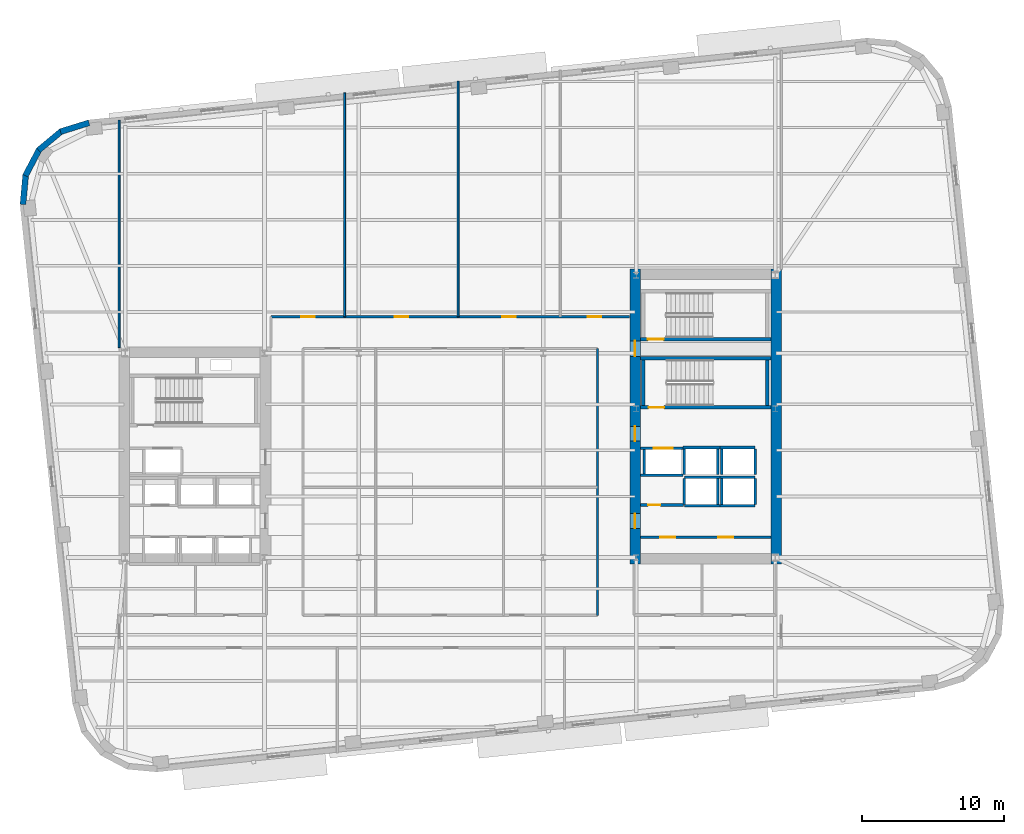
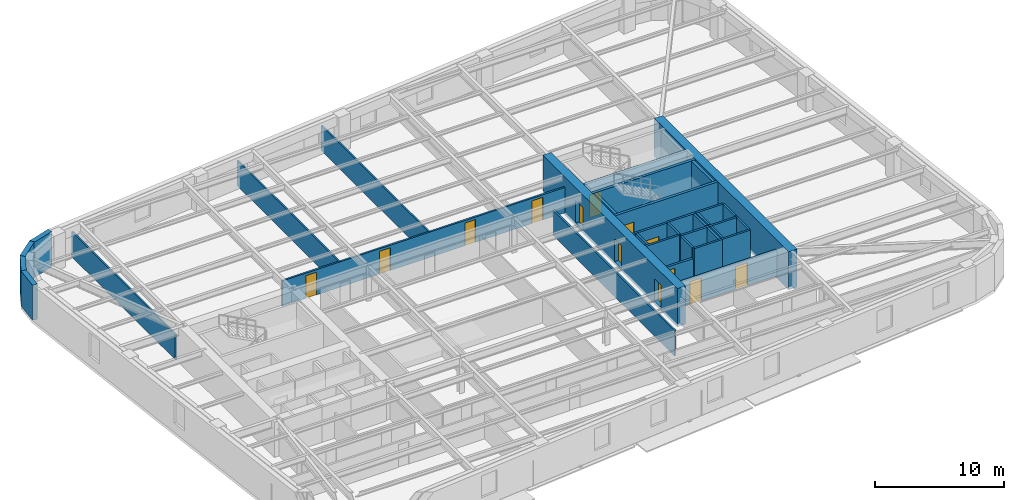
# One storey, part 6 of 12: 35 walls, 13 doors, 13 openings.
"""IFC4 building model written with IfcOpenShell, lengths in metres."""

from ifc_helpers import new_model, si_unit, direction, frame, frame_2d, origin, place, context, subcontext, project, spatial, rectangle, extrude, material, layer, layer_set, type_object, element, fill, save


model = new_model("IFC4")

# Units and contexts
model_context = context("Model", 3, precision=1e-05, world=origin(), true_north=direction((0.0, 1.0)))
body_context = subcontext(model_context, "Body", "Model", "MODEL_VIEW")
ifc_project = project(units=[si_unit("LENGTHUNIT", "METRE"), si_unit("AREAUNIT", "SQUARE_METRE"), si_unit("VOLUMEUNIT", "CUBIC_METRE"), si_unit("PLANEANGLEUNIT", "RADIAN"), si_unit("MASSUNIT", "GRAM", prefix="KILO")], contexts=[model_context])

# Site, building, storey
site_placement = place(None, origin())
site = spatial("IfcSite", under=ifc_project, at=site_placement, CompositionType="ELEMENT")
building_placement = place(site_placement, origin())
building = spatial("IfcBuilding", under=site, at=building_placement, Name="Kolvaren Arena Tower", CompositionType="ELEMENT")
storey_placement = place(building_placement, frame((0.0, 0.0, 149.5)))
storey = spatial("IfcBuildingStorey", under=building, at=storey_placement, Name="L35", CompositionType="ELEMENT", Elevation=149.5)

# Wall, openings, doors
ifc_material_1 = material(Name="Gypsum board acoustic assembly", Category="gypsum")
ifc_layer_1 = layer(ifc_material_1, 0.159912109375)
ifc_layer_set_1 = layer_set([ifc_layer_1], Name="Gypsum board acoustic assembly")
wall_type_1 = type_object("IfcWallType", Name="CORR-160", PredefinedType="PARTITIONING", material=ifc_layer_set_1)
wall_1_placement = place(storey_placement, frame((24.820068359375, 36.419921875, 0.0), z_axis=(0.0, 0.0, 1.0), x_axis=(1.0, 0.0, 0.0)))
wall_1 = element("IfcWall", 1, at=wall_1_placement, inside=storey, type_object=wall_type_1, Name="Interior Partition Wall (L35)", PredefinedType="PARTITIONING", context=body_context, shape_type="SweptSolid", body=[
    extrude(rectangle(XDim=25.260009765625, YDim=0.159912109375, at=frame_2d((12.6298828125, 0.0))), origin(), (0.0, 0.0, 1.0), 2.389892578125),
])
opening_1_placement = place(wall_1_placement, frame((2.1298828125, 0.0, 0.0)))
opening_1 = element("IfcOpeningElement", 2, at=opening_1_placement, cuts=wall_1, Name="Opening D05", PredefinedType="OPENING", context=body_context, shape_type="SweptSolid", body=[
    extrude(rectangle(XDim=0.949951171875, YDim=2.14990234375, at=frame_2d((0.47509765625, 1.074951171875))), frame((0.0, 0.08984375, 0.0), z_axis=(0.0, -1.0, 0.0), x_axis=(1.0, 0.0, 0.0)), (0.0, 0.0, 1.0), 0.179931640625),
])
opening_2_placement = place(wall_1_placement, frame((8.705078125, 0.0, 0.0)))
opening_2 = element("IfcOpeningElement", 3, at=opening_2_placement, cuts=wall_1, Name="Opening D05", PredefinedType="OPENING", context=body_context, shape_type="SweptSolid", body=[
    extrude(rectangle(XDim=0.949951171875, YDim=2.14990234375, at=frame_2d((0.47509765625, 1.074951171875))), frame((0.0, 0.08984375, 0.0), z_axis=(0.0, -1.0, 0.0), x_axis=(1.0, 0.0, 0.0)), (0.0, 0.0, 1.0), 0.179931640625),
])
opening_3_placement = place(wall_1_placement, frame((16.304931640625, 0.0, 0.0)))
opening_3 = element("IfcOpeningElement", 4, at=opening_3_placement, cuts=wall_1, Name="Opening D05", PredefinedType="OPENING", context=body_context, shape_type="SweptSolid", body=[
    extrude(rectangle(XDim=0.949951171875, YDim=2.14990234375, at=frame_2d((0.47509765625, 1.074951171875))), frame((0.0, 0.08984375, 0.0), z_axis=(0.0, -1.0, 0.0), x_axis=(1.0, 0.0, 0.0)), (0.0, 0.0, 1.0), 0.179931640625),
])
opening_4_placement = place(wall_1_placement, frame((22.330078125, 0.0, 0.0)))
opening_4 = element("IfcOpeningElement", 5, at=opening_4_placement, cuts=wall_1, Name="Opening D05", PredefinedType="OPENING", context=body_context, shape_type="SweptSolid", body=[
    extrude(rectangle(XDim=0.949951171875, YDim=2.14990234375, at=frame_2d((0.47509765625, 1.074951171875))), frame((0.0, 0.08984375, 0.0), z_axis=(0.0, -1.0, 0.0), x_axis=(1.0, 0.0, 0.0)), (0.0, 0.0, 1.0), 0.179931640625),
])
ifc_material_2 = material(Name="Solid-core oak acoustic office door", Category="wood")
door_type_1 = type_object("IfcDoorType", Name="DOOR-OF-095", OperationType="NOTDEFINED", PredefinedType="DOOR", material=ifc_material_2)
door_1_placement = place(opening_1_placement, origin())
door_1 = element("IfcDoor", 6, at=door_1_placement, inside=storey, type_object=door_type_1, Name="Tenant Reception Area Door (L35)", OperationType="SINGLE_SWING_RIGHT", OverallHeight=2.14990234375, OverallWidth=0.949951171875, PredefinedType="DOOR", context=body_context, shape_type="SweptSolid", body=[
    extrude(rectangle(XDim=0.949951171875, YDim=2.14990234375, at=frame_2d((0.47509765625, 1.074951171875))), frame((0.0, 0.02490234375, 0.0), z_axis=(0.0, -1.0, 0.0), x_axis=(1.0, 0.0, 0.0)), (0.0, 0.0, 1.0), 0.050048828125),
])
fill(opening_1, door_1)
door_2_placement = place(opening_2_placement, origin())
door_2 = element("IfcDoor", 7, at=door_2_placement, inside=storey, type_object=door_type_1, Name="Corporate Project Office Door (L35)", OperationType="SINGLE_SWING_LEFT", OverallHeight=2.14990234375, OverallWidth=0.949951171875, PredefinedType="DOOR", context=body_context, shape_type="SweptSolid", body=[
    extrude(rectangle(XDim=0.949951171875, YDim=2.14990234375, at=frame_2d((0.47509765625, 1.074951171875))), frame((0.0, 0.02490234375, 0.0), z_axis=(0.0, -1.0, 0.0), x_axis=(1.0, 0.0, 0.0)), (0.0, 0.0, 1.0), 0.050048828125),
])
fill(opening_2, door_2)
door_3_placement = place(opening_3_placement, origin())
door_3 = element("IfcDoor", 8, at=door_3_placement, inside=storey, type_object=door_type_1, Name="Breakout Pantry and Kitchen Door (L35)", OperationType="SINGLE_SWING_RIGHT", OverallHeight=2.14990234375, OverallWidth=0.949951171875, PredefinedType="DOOR", context=body_context, shape_type="SweptSolid", body=[
    extrude(rectangle(XDim=0.949951171875, YDim=2.14990234375, at=frame_2d((0.47509765625, 1.074951171875))), frame((0.0, 0.02490234375, 0.0), z_axis=(0.0, -1.0, 0.0), x_axis=(1.0, 0.0, 0.0)), (0.0, 0.0, 1.0), 0.050048828125),
])
fill(opening_3, door_3)
door_4_placement = place(opening_4_placement, origin())
door_4 = element("IfcDoor", 9, at=door_4_placement, inside=storey, type_object=door_type_1, Name="Meeting Room Door (L35)", OperationType="SINGLE_SWING_LEFT", OverallHeight=2.14990234375, OverallWidth=0.949951171875, PredefinedType="DOOR", context=body_context, shape_type="SweptSolid", body=[
    extrude(rectangle(XDim=0.949951171875, YDim=2.14990234375, at=frame_2d((0.47509765625, 1.074951171875))), frame((0.0, 0.02490234375, 0.0), z_axis=(0.0, -1.0, 0.0), x_axis=(1.0, 0.0, 0.0)), (0.0, 0.0, 1.0), 0.050048828125),
])
fill(opening_4, door_4)

# Wall
wall_2_placement = place(storey_placement, frame((47.820068359375, 15.3798828125, 0.0), z_axis=(0.0, 0.0, 1.0), x_axis=(0.0, 1.0, 0.0)))
element("IfcWall", 10, at=wall_2_placement, inside=storey, type_object=wall_type_1, Name="Interior Partition Wall (L35)", PredefinedType="PARTITIONING", context=body_context, shape_type="SweptSolid", body=[
    extrude(rectangle(XDim=18.800048828125, YDim=0.159912109375, at=frame_2d((9.39990234375, 0.0))), origin(), (0.0, 0.0, 1.0), 2.389892578125),
])

# Wall, openings, doors
ifc_material_3 = material(Name="Concrete 70 MPa", Category="concrete")
ifc_layer_2 = layer(ifc_material_3, 0.75)
ifc_layer_set_2 = layer_set([ifc_layer_2], Name="Concrete 70 MPa")
wall_type_2 = type_object("IfcWallType", Name="CWALL-750", PredefinedType="SHEAR", material=ifc_layer_set_2)
wall_3_placement = place(storey_placement, frame((50.47509765625, 19.0, -0.27001953125), z_axis=(0.0, 0.0, 1.0), x_axis=(0.0, 1.0, 0.0)))
wall_3 = element("IfcWall", 11, at=wall_3_placement, inside=storey, type_object=wall_type_2, Name="Core Shear Wall EC-WEST (L35)", PredefinedType="SHEAR", context=body_context, shape_type="SweptSolid", body=[
    extrude(rectangle(XDim=20.800048828125, YDim=0.75, at=frame_2d((10.39990234375, 0.0))), origin(), (0.0, 0.0, 1.0), 3.60009765625),
])
opening_5_placement = place(wall_3_placement, frame((2.5, 0.0, 0.27001953125)))
opening_5 = element("IfcOpeningElement", 12, at=opening_5_placement, cuts=wall_3, Name="Opening D04", PredefinedType="OPENING", context=body_context, shape_type="SweptSolid", body=[
    extrude(rectangle(XDim=1.050048828125, YDim=2.14990234375, at=frame_2d((0.52490234375, 1.074951171875))), frame((0.0, 0.385009765625, 0.0), z_axis=(0.0, -1.0, 0.0), x_axis=(1.0, 0.0, 0.0)), (0.0, 0.0, 1.0), 0.77001953125),
])
opening_6_placement = place(wall_3_placement, frame((8.64990234375, 0.0, 0.27001953125)))
opening_6 = element("IfcOpeningElement", 13, at=opening_6_placement, cuts=wall_3, Name="Opening D04", PredefinedType="OPENING", context=body_context, shape_type="SweptSolid", body=[
    extrude(rectangle(XDim=1.050048828125, YDim=2.14990234375, at=frame_2d((0.52490234375, 1.074951171875))), frame((0.0, 0.385009765625, 0.0), z_axis=(0.0, -1.0, 0.0), x_axis=(1.0, 0.0, 0.0)), (0.0, 0.0, 1.0), 0.77001953125),
])
opening_7_placement = place(wall_3_placement, frame((14.6201171875, 0.0, 0.27001953125)))
opening_7 = element("IfcOpeningElement", 14, at=opening_7_placement, cuts=wall_3, Name="Opening D03", PredefinedType="OPENING", context=body_context, shape_type="SweptSolid", body=[
    extrude(rectangle(XDim=1.10009765625, YDim=2.14990234375, at=frame_2d((0.550048828125, 1.074951171875))), frame((0.0, 0.385009765625, 0.0), z_axis=(0.0, -1.0, 0.0), x_axis=(1.0, 0.0, 0.0)), (0.0, 0.0, 1.0), 0.77001953125),
])
ifc_material_4 = material(Name="Fire-rated steel lobby door", Category="steel")
door_type_2 = type_object("IfcDoorType", Name="DOOR-FF-105", OperationType="NOTDEFINED", PredefinedType="DOOR", material=ifc_material_4)
door_5_placement = place(opening_5_placement, origin())
door_5 = element("IfcDoor", 15, at=door_5_placement, inside=storey, type_object=door_type_2, Name="East Lift Lobby Fire Door (L35)", OperationType="SINGLE_SWING_RIGHT", OverallHeight=2.14990234375, OverallWidth=1.050048828125, PredefinedType="DOOR", context=body_context, shape_type="SweptSolid", body=[
    extrude(rectangle(XDim=1.050048828125, YDim=2.14990234375, at=frame_2d((0.52490234375, 1.074951171875))), frame((0.0, 0.02490234375, 0.0), z_axis=(0.0, -1.0, 0.0), x_axis=(1.0, 0.0, 0.0)), (0.0, 0.0, 1.0), 0.050048828125),
])
fill(opening_5, door_5)
door_6_placement = place(opening_6_placement, origin())
door_6 = element("IfcDoor", 16, at=door_6_placement, inside=storey, type_object=door_type_2, Name="East Firefighter Vestibule Door (L35)", OperationType="SINGLE_SWING_LEFT", OverallHeight=2.14990234375, OverallWidth=1.050048828125, PredefinedType="DOOR", context=body_context, shape_type="SweptSolid", body=[
    extrude(rectangle(XDim=1.050048828125, YDim=2.14990234375, at=frame_2d((0.52490234375, 1.074951171875))), frame((0.0, 0.02490234375, 0.0), z_axis=(0.0, -1.0, 0.0), x_axis=(1.0, 0.0, 0.0)), (0.0, 0.0, 1.0), 0.050048828125),
])
fill(opening_6, door_6)
ifc_material_5 = material(Name="Fire-rated steel exit stair door", Category="steel")
door_type_3 = type_object("IfcDoorType", Name="DOOR-ST-110", OperationType="NOTDEFINED", PredefinedType="DOOR", material=ifc_material_5)
door_7_placement = place(opening_7_placement, origin())
door_7 = element("IfcDoor", 17, at=door_7_placement, inside=storey, type_object=door_type_3, Name="Stair ST-E2 Vestibule Fire Door (L35)", OperationType="SINGLE_SWING_LEFT", OverallHeight=2.14990234375, OverallWidth=1.10009765625, PredefinedType="DOOR", context=body_context, shape_type="SweptSolid", body=[
    extrude(rectangle(XDim=1.10009765625, YDim=2.14990234375, at=frame_2d((0.550048828125, 1.074951171875))), frame((0.0, 0.02490234375, 0.0), z_axis=(0.0, -1.0, 0.0), x_axis=(1.0, 0.0, 0.0)), (0.0, 0.0, 1.0), 0.050048828125),
])
fill(opening_7, door_7)

# Walls
wall_4_placement = place(storey_placement, frame((60.425048828125, 19.0, -0.27001953125), z_axis=(0.0, 0.0, 1.0), x_axis=(0.0, 1.0, 0.0)))
element("IfcWall", 18, at=wall_4_placement, inside=storey, type_object=wall_type_2, Name="Core Shear Wall EC-EAST (L35)", PredefinedType="SHEAR", context=body_context, shape_type="SweptSolid", body=[
    extrude(rectangle(XDim=20.800048828125, YDim=0.75, at=frame_2d((10.39990234375, 0.0))), origin(), (0.0, 0.0, 1.0), 3.60009765625),
])
ifc_material_6 = material(Name="Precast concrete C50/60", Category="concrete")
ifc_layer_3 = layer(ifc_material_6, 0.419921875)
ifc_layer_set_3 = layer_set([ifc_layer_3], Name="Precast concrete C50/60")
wall_type_3 = type_object("IfcWallType", Name="EXT-PIER1", PredefinedType="SOLIDWALL", material=ifc_layer_set_3)
wall_5_placement = place(storey_placement, frame((9.98681640625, 49.463134765625, 0.0), z_axis=(0.0, 0.0, 1.0), x_axis=(0.955016613791, 0.296552301261, 0.0)))
element("IfcWall", 19, at=wall_5_placement, inside=storey, type_object=wall_type_3, Name="Exterior Precast Masonry-Frame Wall (L35)", PredefinedType="SOLIDWALL", context=body_context, shape_type="SweptSolid", body=[
    extrude(rectangle(XDim=2.106689453125, YDim=0.419921875, at=frame_2d((1.05322265625, 0.0))), origin(), (0.0, 0.0, 1.0), 3.330078125),
])
wall_6_placement = place(storey_placement, frame((8.438720703125, 48.15478515625, 0.0), z_axis=(0.0, 0.0, 1.0), x_axis=(0.768800317178, 0.639488914921, 0.0)))
element("IfcWall", 20, at=wall_6_placement, inside=storey, type_object=wall_type_3, Name="Exterior Precast Masonry-Frame Wall (L35)", PredefinedType="SOLIDWALL", context=body_context, shape_type="SweptSolid", body=[
    extrude(rectangle(XDim=2.10693359375, YDim=0.419921875, at=frame_2d((1.053466796875, 0.0))), origin(), (0.0, 0.0, 1.0), 3.330078125),
])
wall_7_placement = place(storey_placement, frame((7.50927734375, 46.35400390625, 0.0), z_axis=(0.0, 0.0, 1.0), x_axis=(0.465612698516, 0.884988595961, 0.0)))
element("IfcWall", 21, at=wall_7_placement, inside=storey, type_object=wall_type_3, Name="Exterior Precast Masonry-Frame Wall (L35)", PredefinedType="SOLIDWALL", context=body_context, shape_type="SweptSolid", body=[
    extrude(rectangle(XDim=2.106689453125, YDim=0.419921875, at=frame_2d((1.05322265625, 0.0))), origin(), (0.0, 0.0, 1.0), 3.330078125),
])
wall_8_placement = place(storey_placement, frame((7.339599609375, 44.33447265625, 0.0), z_axis=(0.0, 0.0, 1.0), x_axis=(0.091538655308, 0.995801523691, 0.0)))
element("IfcWall", 22, at=wall_8_placement, inside=storey, type_object=wall_type_3, Name="Exterior Precast Masonry-Frame Wall (L35)", PredefinedType="SOLIDWALL", context=body_context, shape_type="SweptSolid", body=[
    extrude(rectangle(XDim=2.10693359375, YDim=0.419921875, at=frame_2d((1.053466796875, 0.0))), origin(), (0.0, 0.0, 1.0), 3.330078125),
])

# Wall, openings, doors
ifc_material_7 = material(Name="Concrete 40 MPa", Category="concrete")
ifc_layer_4 = layer(ifc_material_7, 0.199951171875)
ifc_layer_set_4 = layer_set([ifc_layer_4], Name="Concrete 40 MPa")
wall_type_4 = type_object("IfcWallType", Name="LOBBY-200", PredefinedType="SOLIDWALL", material=ifc_layer_set_4)
wall_9_placement = place(storey_placement, frame((50.85009765625, 20.8798828125, 0.0), z_axis=(0.0, 0.0, 1.0), x_axis=(1.0, 0.0, 0.0)))
wall_9 = element("IfcWall", 23, at=wall_9_placement, inside=storey, type_object=wall_type_4, Name="Core Shaft Wall (L35)", PredefinedType="SOLIDWALL", context=body_context, shape_type="SweptSolid", body=[
    extrude(rectangle(XDim=9.199951171875, YDim=0.199951171875, at=frame_2d((4.60009765625, 0.0))), origin(), (0.0, 0.0, 1.0), 2.389892578125),
])
opening_8_placement = place(wall_9_placement, frame((1.39990234375, 0.0, 0.0)))
opening_8 = element("IfcOpeningElement", 24, at=opening_8_placement, cuts=wall_9, Name="Opening D04", PredefinedType="OPENING", context=body_context, shape_type="SweptSolid", body=[
    extrude(rectangle(XDim=1.050048828125, YDim=2.14990234375, at=frame_2d((0.52490234375, 1.074951171875))), frame((0.0, 0.10986328125, 0.0), z_axis=(0.0, -1.0, 0.0), x_axis=(1.0, 0.0, 0.0)), (0.0, 0.0, 1.0), 0.219970703125),
])
opening_9_placement = place(wall_9_placement, frame((5.5, 0.0, 0.0)))
opening_9 = element("IfcOpeningElement", 25, at=opening_9_placement, cuts=wall_9, Name="Opening D04", PredefinedType="OPENING", context=body_context, shape_type="SweptSolid", body=[
    extrude(rectangle(XDim=1.050048828125, YDim=2.14990234375, at=frame_2d((0.52490234375, 1.074951171875))), frame((0.0, 0.10986328125, 0.0), z_axis=(0.0, -1.0, 0.0), x_axis=(1.0, 0.0, 0.0)), (0.0, 0.0, 1.0), 0.219970703125),
])
door_8_placement = place(opening_8_placement, origin())
door_8 = element("IfcDoor", 26, at=door_8_placement, inside=storey, type_object=door_type_2, Name="East Telecom Room Fire Door (L35)", OperationType="SINGLE_SWING_RIGHT", OverallHeight=2.14990234375, OverallWidth=1.050048828125, PredefinedType="DOOR", context=body_context, shape_type="SweptSolid", body=[
    extrude(rectangle(XDim=1.050048828125, YDim=2.14990234375, at=frame_2d((0.52490234375, 1.074951171875))), frame((0.0, 0.02490234375, 0.0), z_axis=(0.0, -1.0, 0.0), x_axis=(1.0, 0.0, 0.0)), (0.0, 0.0, 1.0), 0.050048828125),
])
fill(opening_8, door_8)
door_9_placement = place(opening_9_placement, origin())
door_9 = element("IfcDoor", 27, at=door_9_placement, inside=storey, type_object=door_type_2, Name="East Records Room Fire Door (L35)", OperationType="SINGLE_SWING_LEFT", OverallHeight=2.14990234375, OverallWidth=1.050048828125, PredefinedType="DOOR", context=body_context, shape_type="SweptSolid", body=[
    extrude(rectangle(XDim=1.050048828125, YDim=2.14990234375, at=frame_2d((0.52490234375, 1.074951171875))), frame((0.0, 0.02490234375, 0.0), z_axis=(0.0, -1.0, 0.0), x_axis=(1.0, 0.0, 0.0)), (0.0, 0.0, 1.0), 0.050048828125),
])
fill(opening_9, door_9)

# Wall, opening, door
wall_10_placement = place(storey_placement, frame((50.85009765625, 23.159912109375, 0.0), z_axis=(0.0, 0.0, 1.0), x_axis=(1.0, 0.0, 0.0)))
wall_10 = element("IfcWall", 28, at=wall_10_placement, inside=storey, type_object=wall_type_4, Name="Core Shaft Wall (L35)", PredefinedType="SOLIDWALL", context=body_context, shape_type="SweptSolid", body=[
    extrude(rectangle(XDim=3.02978515625, YDim=0.199951171875, at=frame_2d((1.514892578125, 0.0))), origin(), (0.0, 0.0, 1.0), 2.389892578125),
])
opening_10_placement = place(wall_10_placement, frame((0.550048828125, 0.0, 0.0)))
opening_10 = element("IfcOpeningElement", 29, at=opening_10_placement, cuts=wall_10, Name="Opening D09", PredefinedType="OPENING", context=body_context, shape_type="SweptSolid", body=[
    extrude(rectangle(XDim=0.860107421875, YDim=2.050048828125, at=frame_2d((0.43017578125, 1.02490234375))), frame((0.0, 0.10986328125, 0.0), z_axis=(0.0, -1.0, 0.0), x_axis=(1.0, 0.0, 0.0)), (0.0, 0.0, 1.0), 0.219970703125),
])
ifc_material_8 = material(Name="Fire-rated steel riser access door", Category="steel")
door_type_4 = type_object("IfcDoorType", Name="DOOR-RS-086", OperationType="NOTDEFINED", PredefinedType="DOOR", material=ifc_material_8)
door_10_placement = place(opening_10_placement, origin())
door_10 = element("IfcDoor", 30, at=door_10_placement, inside=storey, type_object=door_type_4, Name="East AV Riser Closet Door (L35)", OperationType="SINGLE_SWING_LEFT", OverallHeight=2.050048828125, OverallWidth=0.860107421875, PredefinedType="DOOR", context=body_context, shape_type="SweptSolid", body=[
    extrude(rectangle(XDim=0.860107421875, YDim=2.050048828125, at=frame_2d((0.43017578125, 1.02490234375))), frame((0.0, 0.02490234375, 0.0), z_axis=(0.0, -1.0, 0.0), x_axis=(1.0, 0.0, 0.0)), (0.0, 0.0, 1.0), 0.050048828125),
])
fill(opening_10, door_10)

# Walls
ifc_material_9 = material(Name="Gypsum board partition assembly", Category="gypsum")
ifc_layer_5 = layer(ifc_material_9, 0.135009765625)
ifc_layer_set_5 = layer_set([ifc_layer_5], Name="Gypsum board partition assembly")
wall_type_5 = type_object("IfcWallType", Name="PART-135", PredefinedType="PARTITIONING", material=ifc_layer_set_5)
wall_11_placement = place(storey_placement, frame((30.0, 36.419921875, 0.0), z_axis=(0.0, 0.0, 1.0), x_axis=(0.0, 1.0, 0.0)))
element("IfcWall", 31, at=wall_11_placement, inside=storey, type_object=wall_type_5, Name="Interior Partition Wall (L35)", PredefinedType="PARTITIONING", context=body_context, shape_type="SweptSolid", body=[
    extrude(rectangle(XDim=15.76708984375, YDim=0.135009765625, at=frame_2d((7.883544921875, 0.0))), origin(), (0.0, 0.0, 1.0), 2.389892578125),
])
wall_12_placement = place(storey_placement, frame((38.0, 36.419921875, 0.0), z_axis=(0.0, 0.0, 1.0), x_axis=(0.0, 1.0, 0.0)))
element("IfcWall", 32, at=wall_12_placement, inside=storey, type_object=wall_type_5, Name="Interior Partition Wall (L35)", PredefinedType="PARTITIONING", context=body_context, shape_type="SweptSolid", body=[
    extrude(rectangle(XDim=16.60791015625, YDim=0.135009765625, at=frame_2d((8.303955078125, 0.0))), origin(), (0.0, 0.0, 1.0), 2.389892578125),
])
wall_13_placement = place(storey_placement, frame((14.1201171875, 34.25, 0.0), z_axis=(0.0, 0.0, 1.0), x_axis=(0.0, 1.0, 0.0)))
element("IfcWall", 33, at=wall_13_placement, inside=storey, type_object=wall_type_5, Name="Interior Partition Wall (L35)", PredefinedType="PARTITIONING", context=body_context, shape_type="SweptSolid", body=[
    extrude(rectangle(XDim=16.026611328125, YDim=0.135009765625, at=frame_2d((8.01318359375, 0.0))), origin(), (0.0, 0.0, 1.0), 2.389892578125),
])

# Wall, opening, door
ifc_material_10 = material(Name="Concrete 45 MPa", Category="concrete")
ifc_layer_6 = layer(ifc_material_10, 0.25)
ifc_layer_set_6 = layer_set([ifc_layer_6], Name="Concrete 45 MPa")
wall_type_6 = type_object("IfcWallType", Name="SHAFT-250", PredefinedType="SOLIDWALL", material=ifc_layer_set_6)
wall_14_placement = place(storey_placement, frame((60.050048828125, 30.030029296875, 0.0), z_axis=(0.0, 0.0, 1.0), x_axis=(-1.0, 0.0, 0.0)))
wall_14 = element("IfcWall", 34, at=wall_14_placement, inside=storey, type_object=wall_type_6, Name="Core Shaft Wall (L35)", PredefinedType="SOLIDWALL", context=body_context, shape_type="SweptSolid", body=[
    extrude(rectangle(XDim=9.199951171875, YDim=0.239990234375, at=frame_2d((4.60009765625, 0.0))), origin(), (0.0, 0.0, 1.0), 3.330078125),
])
opening_11_placement = place(wall_14_placement, frame((7.530029296875, 0.0, 0.0)))
opening_11 = element("IfcOpeningElement", 35, at=opening_11_placement, cuts=wall_14, Name="Opening D03", PredefinedType="OPENING", context=body_context, shape_type="SweptSolid", body=[
    extrude(rectangle(XDim=1.10009765625, YDim=2.14990234375, at=frame_2d((0.550048828125, 1.074951171875))), frame((0.0, 0.1298828125, 0.0), z_axis=(0.0, -1.0, 0.0), x_axis=(1.0, 0.0, 0.0)), (0.0, 0.0, 1.0), 0.260009765625),
])
door_11_placement = place(opening_11_placement, origin())
door_11 = element("IfcDoor", 36, at=door_11_placement, inside=storey, type_object=door_type_3, Name="Stair ST-E1 Fire Door (L35)", OperationType="SINGLE_SWING_LEFT", OverallHeight=2.14990234375, OverallWidth=1.10009765625, PredefinedType="DOOR", context=body_context, shape_type="SweptSolid", body=[
    extrude(rectangle(XDim=1.10009765625, YDim=2.14990234375, at=frame_2d((0.550048828125, 1.074951171875))), frame((0.0, 0.02490234375, 0.0), z_axis=(0.0, -1.0, 0.0), x_axis=(1.0, 0.0, 0.0)), (0.0, 0.0, 1.0), 0.050048828125),
])
fill(opening_11, door_11)

# Walls
wall_15_placement = place(storey_placement, frame((50.85009765625, 33.5, 0.0), z_axis=(0.0, 0.0, 1.0), x_axis=(1.0, 0.0, 0.0)))
element("IfcWall", 37, at=wall_15_placement, inside=storey, type_object=wall_type_6, Name="Core Shaft Wall (L35)", PredefinedType="SOLIDWALL", context=body_context, shape_type="SweptSolid", body=[
    extrude(rectangle(XDim=9.199951171875, YDim=0.239990234375, at=frame_2d((4.60009765625, 0.0))), origin(), (0.0, 0.0, 1.0), 3.330078125),
])
for number, where, z_axis, x_axis, name in (
    (38, (51.06005859375, 30.14990234375, 0.0), (0.0, 0.0, 1.0), (0.0, 1.0, 0.0), "Core Shaft Wall (L35)"),
    (39, (59.780029296875, 30.14990234375, 0.0), (0.0, 0.0, 1.0), (0.0, 1.0, 0.0), "Core Shaft Wall (L35)"),
):
    element("IfcWall", number, at=place(storey_placement, frame(where, z_axis=z_axis, x_axis=x_axis)), inside=storey, type_object=wall_type_6, Name=name, PredefinedType="SOLIDWALL", context=body_context, shape_type="SweptSolid", body=[
        extrude(rectangle(XDim=3.22998046875, YDim=0.239990234375, at=frame_2d((1.614990234375, 0.0))), origin(), (0.0, 0.0, 1.0), 3.330078125),
    ])

# Wall, opening, door
wall_16_placement = place(storey_placement, frame((60.050048828125, 34.830078125, 0.0), z_axis=(0.0, 0.0, 1.0), x_axis=(-1.0, 0.0, 0.0)))
wall_16 = element("IfcWall", 40, at=wall_16_placement, inside=storey, type_object=wall_type_6, Name="Core Shaft Wall (L35)", PredefinedType="SOLIDWALL", context=body_context, shape_type="SweptSolid", body=[
    extrude(rectangle(XDim=9.199951171875, YDim=0.239990234375, at=frame_2d((4.60009765625, 0.0))), origin(), (0.0, 0.0, 1.0), 3.330078125),
])
opening_12_placement = place(wall_16_placement, frame((7.570068359375, 0.0, 0.0)))
opening_12 = element("IfcOpeningElement", 41, at=opening_12_placement, cuts=wall_16, Name="Opening D03", PredefinedType="OPENING", context=body_context, shape_type="SweptSolid", body=[
    extrude(rectangle(XDim=1.10009765625, YDim=2.14990234375, at=frame_2d((0.550048828125, 1.074951171875))), frame((0.0, 0.1298828125, 0.0), z_axis=(0.0, -1.0, 0.0), x_axis=(1.0, 0.0, 0.0)), (0.0, 0.0, 1.0), 0.260009765625),
])
door_12_placement = place(opening_12_placement, origin())
door_12 = element("IfcDoor", 42, at=door_12_placement, inside=storey, type_object=door_type_3, Name="Stair ST-E2 Fire Door (L35)", OperationType="SINGLE_SWING_LEFT", OverallHeight=2.14990234375, OverallWidth=1.10009765625, PredefinedType="DOOR", context=body_context, shape_type="SweptSolid", body=[
    extrude(rectangle(XDim=1.10009765625, YDim=2.14990234375, at=frame_2d((0.550048828125, 1.074951171875))), frame((0.0, 0.02490234375, 0.0), z_axis=(0.0, -1.0, 0.0), x_axis=(1.0, 0.0, 0.0)), (0.0, 0.0, 1.0), 0.050048828125),
])
fill(opening_12, door_12)

# Walls
for number, where, z_axis, x_axis, name in (
    (43, (53.93994140625, 25.10498046875, 0.0), (0.0, 0.0, 1.0), (1.0, 0.0, 0.0), "Core Shaft Wall (L35)"),
    (44, (53.93994140625, 23.094970703125, 0.0), (0.0, 0.0, 1.0), (1.0, 0.0, 0.0), "Core Shaft Wall (L35)"),
):
    element("IfcWall", number, at=place(storey_placement, frame(where, z_axis=z_axis, x_axis=x_axis)), inside=storey, type_object=wall_type_6, Name=name, PredefinedType="SOLIDWALL", context=body_context, shape_type="SweptSolid", body=[
        extrude(rectangle(XDim=2.5, YDim=0.179931640625, at=frame_2d((1.25, 0.0))), origin(), (0.0, 0.0, 1.0), 3.330078125),
    ])
for number, where, z_axis, x_axis, name in (
    (45, (53.93994140625, 23.18505859375, 0.0), (0.0, 0.0, 1.0), (0.0, 1.0, 0.0), "Core Shaft Wall (L35)"),
    (46, (56.300048828125, 23.18505859375, 0.0), (0.0, 0.0, 1.0), (0.0, 1.0, 0.0), "Core Shaft Wall (L35)"),
):
    element("IfcWall", number, at=place(storey_placement, frame(where, z_axis=z_axis, x_axis=x_axis)), inside=storey, type_object=wall_type_6, Name=name, PredefinedType="SOLIDWALL", context=body_context, shape_type="SweptSolid", body=[
        extrude(rectangle(XDim=1.829833984375, YDim=0.179931640625, at=frame_2d((0.9150390625, 0.0))), origin(), (0.0, 0.0, 1.0), 3.330078125),
    ])
for number, where, z_axis, x_axis, name in (
    (47, (56.43994140625, 25.10498046875, 0.0), (0.0, 0.0, 1.0), (1.0, 0.0, 0.0), "Core Shaft Wall (L35)"),
    (48, (56.43994140625, 23.094970703125, 0.0), (0.0, 0.0, 1.0), (1.0, 0.0, 0.0), "Core Shaft Wall (L35)"),
):
    element("IfcWall", number, at=place(storey_placement, frame(where, z_axis=z_axis, x_axis=x_axis)), inside=storey, type_object=wall_type_6, Name=name, PredefinedType="SOLIDWALL", context=body_context, shape_type="SweptSolid", body=[
        extrude(rectangle(XDim=2.5, YDim=0.179931640625, at=frame_2d((1.25, 0.0))), origin(), (0.0, 0.0, 1.0), 3.330078125),
    ])
for number, where, z_axis, x_axis, name in (
    (49, (56.580078125, 23.18505859375, 0.0), (0.0, 0.0, 1.0), (0.0, 1.0, 0.0), "Core Shaft Wall (L35)"),
    (50, (58.93994140625, 23.18505859375, 0.0), (0.0, 0.0, 1.0), (0.0, 1.0, 0.0), "Core Shaft Wall (L35)"),
):
    element("IfcWall", number, at=place(storey_placement, frame(where, z_axis=z_axis, x_axis=x_axis)), inside=storey, type_object=wall_type_6, Name=name, PredefinedType="SOLIDWALL", context=body_context, shape_type="SweptSolid", body=[
        extrude(rectangle(XDim=1.829833984375, YDim=0.179931640625, at=frame_2d((0.9150390625, 0.0))), origin(), (0.0, 0.0, 1.0), 3.330078125),
    ])
wall_17_placement = place(storey_placement, frame((53.864990234375, 27.205078125, 0.0), z_axis=(0.0, 0.0, 1.0), x_axis=(1.0, 0.0, 0.0)))
element("IfcWall", 51, at=wall_17_placement, inside=storey, type_object=wall_type_6, Name="Core Shaft Wall (L35)", PredefinedType="SOLIDWALL", context=body_context, shape_type="SweptSolid", body=[
    extrude(rectangle(XDim=2.574951171875, YDim=0.179931640625, at=frame_2d((1.28759765625, 0.0))), origin(), (0.0, 0.0, 1.0), 3.330078125),
])
for number, where, z_axis, x_axis, name in (
    (52, (53.93994140625, 25.284912109375, 0.0), (0.0, 0.0, 1.0), (0.0, 1.0, 0.0), "Core Shaft Wall (L35)"),
    (53, (56.300048828125, 25.284912109375, 0.0), (0.0, 0.0, 1.0), (0.0, 1.0, 0.0), "Core Shaft Wall (L35)"),
):
    element("IfcWall", number, at=place(storey_placement, frame(where, z_axis=z_axis, x_axis=x_axis)), inside=storey, type_object=wall_type_6, Name=name, PredefinedType="SOLIDWALL", context=body_context, shape_type="SweptSolid", body=[
        extrude(rectangle(XDim=1.830078125, YDim=0.179931640625, at=frame_2d((0.9150390625, 0.0))), origin(), (0.0, 0.0, 1.0), 3.330078125),
    ])
wall_18_placement = place(storey_placement, frame((56.43994140625, 27.205078125, 0.0), z_axis=(0.0, 0.0, 1.0), x_axis=(1.0, 0.0, 0.0)))
element("IfcWall", 54, at=wall_18_placement, inside=storey, type_object=wall_type_6, Name="Core Shaft Wall (L35)", PredefinedType="SOLIDWALL", context=body_context, shape_type="SweptSolid", body=[
    extrude(rectangle(XDim=2.5, YDim=0.179931640625, at=frame_2d((1.25, 0.0))), origin(), (0.0, 0.0, 1.0), 3.330078125),
])
for number, where, z_axis, x_axis, name in (
    (55, (56.580078125, 25.284912109375, 0.0), (0.0, 0.0, 1.0), (0.0, 1.0, 0.0), "Core Shaft Wall (L35)"),
    (56, (58.93994140625, 25.284912109375, 0.0), (0.0, 0.0, 1.0), (0.0, 1.0, 0.0), "Core Shaft Wall (L35)"),
):
    element("IfcWall", number, at=place(storey_placement, frame(where, z_axis=z_axis, x_axis=x_axis)), inside=storey, type_object=wall_type_6, Name=name, PredefinedType="SOLIDWALL", context=body_context, shape_type="SweptSolid", body=[
        extrude(rectangle(XDim=1.830078125, YDim=0.179931640625, at=frame_2d((0.9150390625, 0.0))), origin(), (0.0, 0.0, 1.0), 3.330078125),
    ])

# Wall, opening, door
wall_19_placement = place(storey_placement, frame((50.85009765625, 27.155029296875, 0.0), z_axis=(0.0, 0.0, 1.0), x_axis=(1.0, 0.0, 0.0)))
wall_19 = element("IfcWall", 57, at=wall_19_placement, inside=storey, type_object=wall_type_6, Name="Core Shaft Wall (L35)", PredefinedType="SOLIDWALL", context=body_context, shape_type="SweptSolid", body=[
    extrude(rectangle(XDim=3.014892578125, YDim=0.179931640625, at=frame_2d((1.50732421875, 0.0))), origin(), (0.0, 0.0, 1.0), 3.330078125),
])
opening_13_placement = place(wall_19_placement, frame((0.93505859375, 0.0, 0.0)))
opening_13 = element("IfcOpeningElement", 58, at=opening_13_placement, cuts=wall_19, Name="Opening LD2", PredefinedType="OPENING", context=body_context, shape_type="SweptSolid", body=[
    extrude(rectangle(XDim=1.35009765625, YDim=2.300048828125, at=frame_2d((0.675048828125, 1.14990234375))), frame((0.0, 0.099853515625, 0.0), z_axis=(0.0, -1.0, 0.0), x_axis=(1.0, 0.0, 0.0)), (0.0, 0.0, 1.0), 0.199951171875),
])
ifc_material_11 = material(Name="Stainless steel firefighter lift landing door", Category="steel")
door_type_5 = type_object("IfcDoorType", Name="DOOR-LD-135", OperationType="DOUBLE_DOOR_SLIDING", PredefinedType="DOOR", material=ifc_material_11)
door_13_placement = place(opening_13_placement, origin())
door_13 = element("IfcDoor", 59, at=door_13_placement, inside=storey, type_object=door_type_5, Name="Firefighter Lift FF-E1 Landing Door (L35)", OperationType="DOUBLE_DOOR_SLIDING", OverallHeight=2.300048828125, OverallWidth=1.35009765625, PredefinedType="DOOR", context=body_context, shape_type="SweptSolid", body=[
    extrude(rectangle(XDim=1.35009765625, YDim=2.300048828125, at=frame_2d((0.675048828125, 1.14990234375))), frame((0.0, 0.02490234375, 0.0), z_axis=(0.0, -1.0, 0.0), x_axis=(1.0, 0.0, 0.0)), (0.0, 0.0, 1.0), 0.050048828125),
])
fill(opening_13, door_13)

# Walls
wall_20_placement = place(storey_placement, frame((50.85009765625, 25.2451171875, 0.0), z_axis=(0.0, 0.0, 1.0), x_axis=(1.0, 0.0, 0.0)))
element("IfcWall", 60, at=wall_20_placement, inside=storey, type_object=wall_type_6, Name="Core Shaft Wall (L35)", PredefinedType="SOLIDWALL", context=body_context, shape_type="SweptSolid", body=[
    extrude(rectangle(XDim=3.014892578125, YDim=0.179931640625, at=frame_2d((1.50732421875, 0.0))), origin(), (0.0, 0.0, 1.0), 3.330078125),
])
wall_21_placement = place(storey_placement, frame((51.1298828125, 25.3349609375, 0.0), z_axis=(0.0, 0.0, 1.0), x_axis=(0.0, 1.0, 0.0)))
element("IfcWall", 61, at=wall_21_placement, inside=storey, type_object=wall_type_6, Name="Core Shaft Wall (L35)", PredefinedType="SOLIDWALL", context=body_context, shape_type="SweptSolid", body=[
    extrude(rectangle(XDim=1.72998046875, YDim=0.179931640625, at=frame_2d((0.864990234375, 0.0))), origin(), (0.0, 0.0, 1.0), 3.330078125),
])

save(model, "model.ifc")
